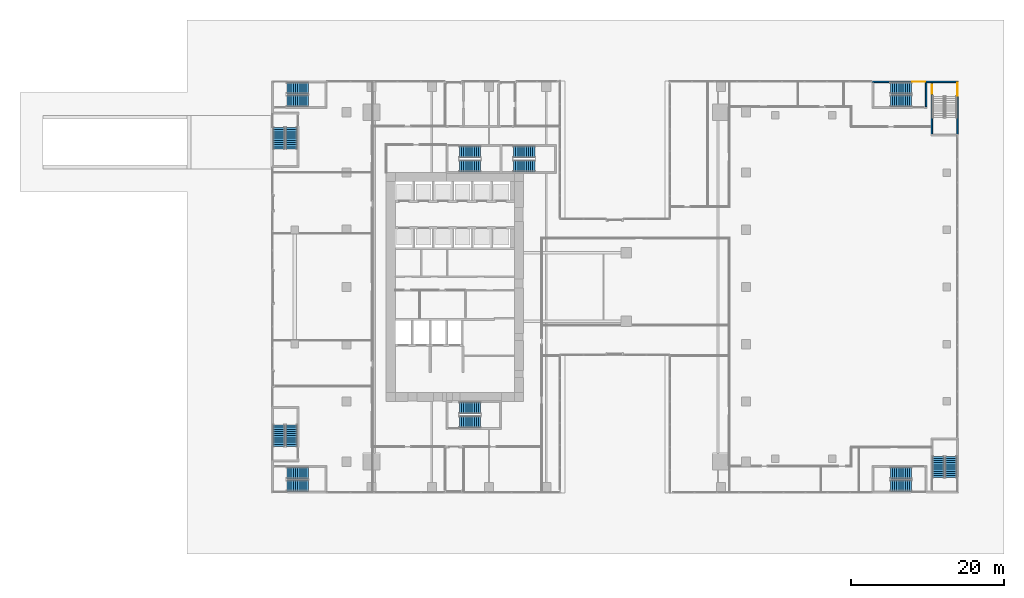
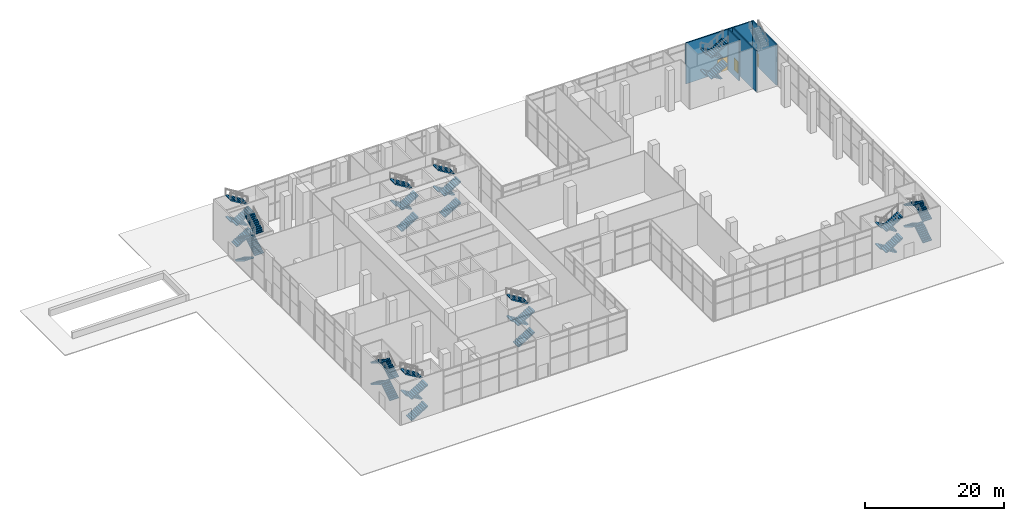
# One storey, part 42 of 52: 40 stair flights, 4 walls, 3 doors, 3 openings, 10 elements without a shape of their own.
"""IFC4 building model written with IfcOpenShell, lengths in metres."""

from ifc_helpers import new_model, si_unit, direction, frame, frame_2d, origin, place, context, subcontext, project, spatial, polyline, rectangle, outline, extrude, source, transform, mapped, material, layer, layer_set, type_object, element, fill, aggregate, save


model = new_model("IFC4")

# Units and contexts
model_context = context("Model", 3, precision=1e-05, world=origin(), true_north=direction((0.0, 1.0)))
body_context = subcontext(model_context, "Body", "Model", "MODEL_VIEW")
ifc_project = project(units=[si_unit("LENGTHUNIT", "METRE"), si_unit("AREAUNIT", "SQUARE_METRE"), si_unit("VOLUMEUNIT", "CUBIC_METRE"), si_unit("PLANEANGLEUNIT", "RADIAN"), si_unit("MASSUNIT", "GRAM", prefix="KILO")], contexts=[model_context])

# Site, building, storey
site_placement = place(None, origin())
site = spatial("IfcSite", under=ifc_project, at=site_placement, CompositionType="ELEMENT")
building_placement = place(site_placement, origin())
building = spatial("IfcBuilding", under=site, at=building_placement, Name="Khomas Fold Tower", CompositionType="ELEMENT")
storey_placement = place(building_placement, origin())
storey = spatial("IfcBuildingStorey", under=building, at=storey_placement, Name="L00", CompositionType="ELEMENT", Elevation=0.0)

# Wall
ifc_material_1 = material(Name="Concrete C30/37", Category="concrete")
ifc_layer = layer(ifc_material_1, 0.199951171875)
ifc_layer_set = layer_set([ifc_layer], Name="Concrete C30/37")
wall_type = type_object("IfcWallType", Name="Stair wall PW5 200", PredefinedType="PARTITIONING", material=ifc_layer_set)
shared_shape_1 = source(origin(), body_context, "Body", "SweptSolid", [
    extrude(rectangle(XDim=3.150146484375, YDim=0.199951171875, at=frame_2d((1.5751953125, 0.0))), origin(), (0.0, 0.0, 1.0), 7.199951171875),
])
wall_1_placement = place(storey_placement, frame((76.800048828125, 50.64990234375, 0.0), z_axis=(0.0, 0.0, 1.0), x_axis=(0.0, 1.0, 0.0)))
element("IfcWall", 1, at=wall_1_placement, inside=storey, type_object=wall_type, Name="Stair wall", PredefinedType="PARTITIONING", context=body_context, shape_type="MappedRepresentation", body=[
    mapped(shared_shape_1, transform((0.0, 0.0, 0.0))),
])

# Wall, opening, door
shared_shape_2 = source(origin(), body_context, "Body", "SweptSolid", [
    extrude(rectangle(XDim=6.800048828125, YDim=0.199951171875, at=frame_2d((3.39990234375, 0.0))), origin(), (0.0, 0.0, 1.0), 7.199951171875),
])
wall_2_placement = place(storey_placement, frame((77.550048828125, 47.0, 0.0), z_axis=(0.0, 0.0, 1.0), x_axis=(0.0, 1.0, 0.0)))
wall_2 = element("IfcWall", 2, at=wall_2_placement, inside=storey, type_object=wall_type, Name="Stair wall", PredefinedType="PARTITIONING", context=body_context, shape_type="MappedRepresentation", body=[
    mapped(shared_shape_2, transform((0.0, 0.0, 0.0))),
])
shared_shape_3 = source(origin(), body_context, "Body", "SweptSolid", [
    extrude(rectangle(XDim=1.199951171875, YDim=2.10009765625, at=frame_2d((0.60009765625, 1.050048828125))), frame((0.0, 0.10986328125, 0.0), z_axis=(0.0, -1.0, 0.0), x_axis=(1.0, 0.0, 0.0)), (0.0, 0.0, 1.0), 0.219970703125),
])
opening_1_placement = place(wall_2_placement, frame((5.300048828125, 0.0, 0.0)))
opening_1 = element("IfcOpeningElement", 3, at=opening_1_placement, cuts=wall_2, Name="Opening 0018", PredefinedType="OPENING", context=body_context, shape_type="MappedRepresentation", body=[
    mapped(shared_shape_3, transform((0.0, 0.0, 0.0))),
])
ifc_material_2 = material(Name="Steel door leaf", Category="steel")
door_type_1 = type_object("IfcDoorType", Name="Stair door 1200x2100 right-hand", OperationType="SINGLE_SWING_RIGHT", PredefinedType="DOOR", material=ifc_material_2)
shared_shape_4 = source(origin(), body_context, "Body", "SweptSolid", [
    extrude(rectangle(XDim=1.199951171875, YDim=2.10009765625, at=frame_2d((0.60009765625, 1.050048828125))), frame((0.0, 0.02490234375, 0.0), z_axis=(0.0, -1.0, 0.0), x_axis=(1.0, 0.0, 0.0)), (0.0, 0.0, 1.0), 0.050048828125),
])
door_1_placement = place(opening_1_placement, origin())
door_1 = element("IfcDoor", 4, at=door_1_placement, inside=storey, type_object=door_type_1, Name="Stair door", OperationType="SINGLE_SWING_RIGHT", OverallHeight=2.10009765625, OverallWidth=1.199951171875, PredefinedType="DOOR", context=body_context, shape_type="MappedRepresentation", body=[
    mapped(shared_shape_4, transform((0.0, 0.0, 0.0))),
])
fill(opening_1, door_1)

wall_3_placement = place(storey_placement, frame((80.89990234375, 47.0, 0.0), z_axis=(0.0, 0.0, 1.0), x_axis=(0.0, 1.0, 0.0)))
wall_3 = element("IfcWall", 5, at=wall_3_placement, inside=storey, type_object=wall_type, Name="Stair wall", PredefinedType="PARTITIONING", context=body_context, shape_type="MappedRepresentation", body=[
    mapped(shared_shape_2, transform((0.0, 0.0, 0.0))),
])
shared_shape_5 = source(origin(), body_context, "Body", "SweptSolid", [
    extrude(rectangle(XDim=1.699951171875, YDim=2.39990234375, at=frame_2d((0.85009765625, 1.199951171875))), frame((0.0, 0.10986328125, 0.0), z_axis=(0.0, -1.0, 0.0), x_axis=(1.0, 0.0, 0.0)), (0.0, 0.0, 1.0), 0.219970703125),
])
opening_2_placement = place(wall_3_placement, frame((6.75, 0.0, 0.0), z_axis=(0.0, 0.0, 1.0), x_axis=(-1.0, 0.0, 0.0)))
opening_2 = element("IfcOpeningElement", 6, at=opening_2_placement, cuts=wall_3, Name="Opening X6", PredefinedType="OPENING", context=body_context, shape_type="MappedRepresentation", body=[
    mapped(shared_shape_5, transform((0.0, 0.0, 0.0))),
])
ifc_material_3 = material(Name="Steel door leaf", Category="steel")
door_type_2 = type_object("IfcDoorType", Name="Stair discharge door 1700x2400", OperationType="DOUBLE_DOOR_SINGLE_SWING", PredefinedType="DOOR", material=ifc_material_3)
shared_shape_6 = source(origin(), body_context, "Body", "SweptSolid", [
    extrude(rectangle(XDim=1.699951171875, YDim=2.39990234375, at=frame_2d((0.85009765625, 1.199951171875))), frame((0.0, 0.02490234375, 0.0), z_axis=(0.0, -1.0, 0.0), x_axis=(1.0, 0.0, 0.0)), (0.0, 0.0, 1.0), 0.050048828125),
])
door_2_placement = place(opening_2_placement, origin())
door_2 = element("IfcDoor", 7, at=door_2_placement, inside=storey, type_object=door_type_2, Name="Stair discharge door", OperationType="DOUBLE_DOOR_SINGLE_SWING", OverallHeight=2.39990234375, OverallWidth=1.699951171875, PredefinedType="DOOR", context=body_context, shape_type="MappedRepresentation", body=[
    mapped(shared_shape_6, transform((0.0, 0.0, 0.0))),
])
fill(opening_2, door_2)

shared_shape_7 = source(origin(), body_context, "Body", "SweptSolid", [
    extrude(rectangle(XDim=11.300048828125, YDim=0.199951171875, at=frame_2d((5.64990234375, 0.0))), origin(), (0.0, 0.0, 1.0), 7.199951171875),
])
wall_4_placement = place(storey_placement, frame((69.699951171875, 53.89990234375, 0.0), z_axis=(0.0, 0.0, 1.0), x_axis=(1.0, 0.0, 0.0)))
wall_4 = element("IfcWall", 8, at=wall_4_placement, inside=storey, type_object=wall_type, Name="Stair wall", PredefinedType="PARTITIONING", context=body_context, shape_type="MappedRepresentation", body=[
    mapped(shared_shape_7, transform((0.0, 0.0, 0.0))),
])
opening_3_placement = place(wall_4_placement, frame((5.25, 0.0, 0.0)))
opening_3 = element("IfcOpeningElement", 9, at=opening_3_placement, cuts=wall_4, Name="Opening X5", PredefinedType="OPENING", context=body_context, shape_type="MappedRepresentation", body=[
    mapped(shared_shape_5, transform((0.0, 0.0, 0.0))),
])
door_3_placement = place(opening_3_placement, origin())
door_3 = element("IfcDoor", 10, at=door_3_placement, inside=storey, type_object=door_type_2, Name="Stair discharge door", OperationType="DOUBLE_DOOR_SINGLE_SWING", OverallHeight=2.39990234375, OverallWidth=1.699951171875, PredefinedType="DOOR", context=body_context, shape_type="MappedRepresentation", body=[
    mapped(shared_shape_6, transform((0.0, 0.0, 0.0))),
])
fill(opening_3, door_3)

# Stair, stair flights
ifc_material_4 = material(Name="Concrete C40/50", Category="concrete")
stair_type_1 = type_object("IfcStairType", Name="Stair ST1", PredefinedType="HALF_TURN_STAIR", material=ifc_material_4)
stair_1_placement = place(storey_placement, origin())
stair_1 = element("IfcStair", 11, at=stair_1_placement, inside=storey, type_object=stair_type_1, Name="L00 ST1", PredefinedType="HALF_TURN_STAIR")
ifc_material_5 = material(Name="Concrete C40/50", Category="concrete")
stair_flight_type_1 = type_object("IfcStairFlightType", Name="Stair flight 1500 ST1", PredefinedType="STRAIGHT", material=ifc_material_5)
shared_shape_8 = source(origin(), body_context, "Body", "SweptSolid", [
    extrude(outline(polyline([(0.0, 0.0), (0.0, 0.01318359375), (0.0, 0.026123046875), (0.0, 0.039306640625), (0.0, 0.052490234375), (0.0, 0.065673828125), (0.0, 0.07861328125), (0.0, 0.091796875), (0.0, 0.10498046875), (0.0, 0.117919921875), (0.0, 0.131103515625), (0.0, 0.144287109375), (0.0, 0.1572265625), (0.0, 0.17041015625), (0.280029296875, 0.17041015625), (0.280029296875, 0.3408203125), (0.56005859375, 0.3408203125), (0.56005859375, 0.511474609375), (0.840087890625, 0.511474609375), (0.840087890625, 0.681884765625), (1.1201171875, 0.681884765625), (1.1201171875, 0.852294921875), (1.39990234375, 0.852294921875), (1.39990234375, 1.022705078125), (1.679931640625, 1.022705078125), (1.679931640625, 1.193115234375), (1.9599609375, 1.193115234375), (1.9599609375, 1.363525390625), (2.239990234375, 1.363525390625), (2.239990234375, 1.5341796875), (2.52001953125, 1.5341796875), (2.52001953125, 1.70458984375), (2.800048828125, 1.70458984375), (2.800048828125, 1.875), (2.800048828125, 1.848388671875), (2.800048828125, 1.82177734375), (2.800048828125, 1.795166015625), (2.800048828125, 1.7685546875), (2.800048828125, 1.741943359375), (2.800048828125, 1.71533203125), (2.800048828125, 1.688720703125), (2.800048828125, 1.662109375), (2.800048828125, 1.635498046875), (2.800048828125, 1.60888671875), (2.800048828125, 1.582275390625), (2.800048828125, 1.5556640625), (2.800048828125, 1.529052734375), (0.288330078125, 0.0), (0.0, 0.0)])), frame((0.0, 0.75, 0.0), z_axis=(0.0, -1.0, 0.0), x_axis=(1.0, 0.0, 0.0)), (0.0, 0.0, 1.0), 1.5),
])
stair_flight_1_placement = place(storey_placement, frame((15.60009765625, 42.85009765625, 0.0), z_axis=(0.0, 0.0, 1.0), x_axis=(1.0, 0.0, 0.0)))
stair_flight_1 = element("IfcStairFlight", 12, at=stair_flight_1_placement, type_object=stair_flight_type_1, Name="ST1 flight 1", NumberOfRisers=11, NumberOfTreads=10, PredefinedType="STRAIGHT", RiserHeight=0.170454545, TreadLength=0.28, context=body_context, shape_type="MappedRepresentation", body=[
    mapped(shared_shape_8, transform((0.0, 0.0, 0.0))),
])
stair_flight_2_placement = place(storey_placement, frame((18.39990234375, 44.699951171875, 1.875), z_axis=(0.0, 0.0, 1.0), x_axis=(-1.0, 0.0, 0.0)))
stair_flight_2 = element("IfcStairFlight", 13, at=stair_flight_2_placement, type_object=stair_flight_type_1, Name="ST1 flight 2", NumberOfRisers=11, NumberOfTreads=10, PredefinedType="STRAIGHT", RiserHeight=0.170454545, TreadLength=0.28, context=body_context, shape_type="MappedRepresentation", body=[
    mapped(shared_shape_8, transform((0.0, 0.0, 0.0))),
])
stair_flight_3_placement = place(storey_placement, frame((15.60009765625, 42.85009765625, 3.75), z_axis=(0.0, 0.0, 1.0), x_axis=(1.0, 0.0, 0.0)))
stair_flight_3 = element("IfcStairFlight", 14, at=stair_flight_3_placement, type_object=stair_flight_type_1, Name="ST1 flight 3", NumberOfRisers=11, NumberOfTreads=10, PredefinedType="STRAIGHT", RiserHeight=0.170454545, TreadLength=0.28, context=body_context, shape_type="MappedRepresentation", body=[
    mapped(shared_shape_8, transform((0.0, 0.0, 0.0))),
])
stair_flight_4_placement = place(storey_placement, frame((18.39990234375, 44.699951171875, 5.625), z_axis=(0.0, 0.0, 1.0), x_axis=(-1.0, 0.0, 0.0)))
stair_flight_4 = element("IfcStairFlight", 15, at=stair_flight_4_placement, type_object=stair_flight_type_1, Name="ST1 flight 4", NumberOfRisers=11, NumberOfTreads=10, PredefinedType="STRAIGHT", RiserHeight=0.170454545, TreadLength=0.28, context=body_context, shape_type="MappedRepresentation", body=[
    mapped(shared_shape_8, transform((0.0, 0.0, 0.0))),
])
aggregate(stair_1, [stair_flight_1, stair_flight_2, stair_flight_3, stair_flight_4])

ifc_material_6 = material(Name="Concrete C40/50", Category="concrete")
stair_type_2 = type_object("IfcStairType", Name="Stair ST2", PredefinedType="HALF_TURN_STAIR", material=ifc_material_6)
stair_2_placement = place(storey_placement, origin())
stair_2 = element("IfcStair", 16, at=stair_2_placement, inside=storey, type_object=stair_type_2, Name="L00 ST2", PredefinedType="HALF_TURN_STAIR")
ifc_material_7 = material(Name="Concrete C40/50", Category="concrete")
stair_flight_type_2 = type_object("IfcStairFlightType", Name="Stair flight 1500 ST2", PredefinedType="STRAIGHT", material=ifc_material_7)
stair_flight_5_placement = place(storey_placement, frame((15.60009765625, 9.300048828125, 0.0), z_axis=(0.0, 0.0, 1.0), x_axis=(1.0, 0.0, 0.0)))
stair_flight_5 = element("IfcStairFlight", 17, at=stair_flight_5_placement, type_object=stair_flight_type_2, Name="ST2 flight 1", NumberOfRisers=11, NumberOfTreads=10, PredefinedType="STRAIGHT", RiserHeight=0.170454545, TreadLength=0.28, context=body_context, shape_type="MappedRepresentation", body=[
    mapped(shared_shape_8, transform((0.0, 0.0, 0.0))),
])
stair_flight_6_placement = place(storey_placement, frame((18.39990234375, 11.14990234375, 1.875), z_axis=(0.0, 0.0, 1.0), x_axis=(-1.0, 0.0, 0.0)))
stair_flight_6 = element("IfcStairFlight", 18, at=stair_flight_6_placement, type_object=stair_flight_type_2, Name="ST2 flight 2", NumberOfRisers=11, NumberOfTreads=10, PredefinedType="STRAIGHT", RiserHeight=0.170454545, TreadLength=0.28, context=body_context, shape_type="MappedRepresentation", body=[
    mapped(shared_shape_8, transform((0.0, 0.0, 0.0))),
])
stair_flight_7_placement = place(storey_placement, frame((15.60009765625, 9.300048828125, 3.75), z_axis=(0.0, 0.0, 1.0), x_axis=(1.0, 0.0, 0.0)))
stair_flight_7 = element("IfcStairFlight", 19, at=stair_flight_7_placement, type_object=stair_flight_type_2, Name="ST2 flight 3", NumberOfRisers=11, NumberOfTreads=10, PredefinedType="STRAIGHT", RiserHeight=0.170454545, TreadLength=0.28, context=body_context, shape_type="MappedRepresentation", body=[
    mapped(shared_shape_8, transform((0.0, 0.0, 0.0))),
])
stair_flight_8_placement = place(storey_placement, frame((18.39990234375, 11.14990234375, 5.625), z_axis=(0.0, 0.0, 1.0), x_axis=(-1.0, 0.0, 0.0)))
stair_flight_8 = element("IfcStairFlight", 20, at=stair_flight_8_placement, type_object=stair_flight_type_2, Name="ST2 flight 4", NumberOfRisers=11, NumberOfTreads=10, PredefinedType="STRAIGHT", RiserHeight=0.170454545, TreadLength=0.28, context=body_context, shape_type="MappedRepresentation", body=[
    mapped(shared_shape_8, transform((0.0, 0.0, 0.0))),
])
aggregate(stair_2, [stair_flight_5, stair_flight_6, stair_flight_7, stair_flight_8])

ifc_material_8 = material(Name="Concrete C40/50", Category="concrete")
stair_type_3 = type_object("IfcStairType", Name="Stair ST3", PredefinedType="HALF_TURN_STAIR", material=ifc_material_8)
stair_3_placement = place(storey_placement, origin())
stair_3 = element("IfcStair", 21, at=stair_3_placement, inside=storey, type_object=stair_type_3, Name="L00 ST3", PredefinedType="HALF_TURN_STAIR")
ifc_material_9 = material(Name="Concrete C40/50", Category="concrete")
stair_flight_type_3 = type_object("IfcStairFlightType", Name="Stair flight 1500 ST3", PredefinedType="STRAIGHT", material=ifc_material_9)
stair_flight_9_placement = place(storey_placement, frame((22.699951171875, 42.85009765625, 0.0), z_axis=(0.0, 0.0, 1.0), x_axis=(1.0, 0.0, 0.0)))
stair_flight_9 = element("IfcStairFlight", 22, at=stair_flight_9_placement, type_object=stair_flight_type_3, Name="ST3 flight 1", NumberOfRisers=11, NumberOfTreads=10, PredefinedType="STRAIGHT", RiserHeight=0.170454545, TreadLength=0.28, context=body_context, shape_type="MappedRepresentation", body=[
    mapped(shared_shape_8, transform((0.0, 0.0, 0.0))),
])
stair_flight_10_placement = place(storey_placement, frame((25.5, 44.699951171875, 1.875), z_axis=(0.0, 0.0, 1.0), x_axis=(-1.0, 0.0, 0.0)))
stair_flight_10 = element("IfcStairFlight", 23, at=stair_flight_10_placement, type_object=stair_flight_type_3, Name="ST3 flight 2", NumberOfRisers=11, NumberOfTreads=10, PredefinedType="STRAIGHT", RiserHeight=0.170454545, TreadLength=0.28, context=body_context, shape_type="MappedRepresentation", body=[
    mapped(shared_shape_8, transform((0.0, 0.0, 0.0))),
])
stair_flight_11_placement = place(storey_placement, frame((22.699951171875, 42.85009765625, 3.75), z_axis=(0.0, 0.0, 1.0), x_axis=(1.0, 0.0, 0.0)))
stair_flight_11 = element("IfcStairFlight", 24, at=stair_flight_11_placement, type_object=stair_flight_type_3, Name="ST3 flight 3", NumberOfRisers=11, NumberOfTreads=10, PredefinedType="STRAIGHT", RiserHeight=0.170454545, TreadLength=0.28, context=body_context, shape_type="MappedRepresentation", body=[
    mapped(shared_shape_8, transform((0.0, 0.0, 0.0))),
])
stair_flight_12_placement = place(storey_placement, frame((25.5, 44.699951171875, 5.625), z_axis=(0.0, 0.0, 1.0), x_axis=(-1.0, 0.0, 0.0)))
stair_flight_12 = element("IfcStairFlight", 25, at=stair_flight_12_placement, type_object=stair_flight_type_3, Name="ST3 flight 4", NumberOfRisers=11, NumberOfTreads=10, PredefinedType="STRAIGHT", RiserHeight=0.170454545, TreadLength=0.28, context=body_context, shape_type="MappedRepresentation", body=[
    mapped(shared_shape_8, transform((0.0, 0.0, 0.0))),
])
aggregate(stair_3, [stair_flight_9, stair_flight_10, stair_flight_11, stair_flight_12])

ifc_material_10 = material(Name="Concrete C40/50", Category="concrete")
stair_type_4 = type_object("IfcStairType", Name="Stair PS1", PredefinedType="HALF_TURN_STAIR", material=ifc_material_10)
stair_4_placement = place(storey_placement, origin())
stair_4 = element("IfcStair", 26, at=stair_4_placement, inside=storey, type_object=stair_type_4, Name="L00 PS1", PredefinedType="HALF_TURN_STAIR")
ifc_material_11 = material(Name="Concrete C40/50", Category="concrete")
stair_flight_type_4 = type_object("IfcStairFlightType", Name="Stair flight 1500 PS1", PredefinedType="STRAIGHT", material=ifc_material_11)
stair_flight_13_placement = place(storey_placement, frame((-7.0, 0.949951171875, 0.0), z_axis=(0.0, 0.0, 1.0), x_axis=(1.0, 0.0, 0.0)))
stair_flight_13 = element("IfcStairFlight", 27, at=stair_flight_13_placement, type_object=stair_flight_type_4, Name="PS1 flight 1", NumberOfRisers=11, NumberOfTreads=10, PredefinedType="STRAIGHT", RiserHeight=0.170454545, TreadLength=0.28, context=body_context, shape_type="MappedRepresentation", body=[
    mapped(shared_shape_8, transform((0.0, 0.0, 0.0))),
])
stair_flight_14_placement = place(storey_placement, frame((-4.199951171875, 2.60009765625, 1.875), z_axis=(0.0, 0.0, 1.0), x_axis=(-1.0, 0.0, 0.0)))
stair_flight_14 = element("IfcStairFlight", 28, at=stair_flight_14_placement, type_object=stair_flight_type_4, Name="PS1 flight 2", NumberOfRisers=11, NumberOfTreads=10, PredefinedType="STRAIGHT", RiserHeight=0.170454545, TreadLength=0.28, context=body_context, shape_type="MappedRepresentation", body=[
    mapped(shared_shape_8, transform((0.0, 0.0, 0.0))),
])
stair_flight_15_placement = place(storey_placement, frame((-7.0, 0.949951171875, 3.75), z_axis=(0.0, 0.0, 1.0), x_axis=(1.0, 0.0, 0.0)))
stair_flight_15 = element("IfcStairFlight", 29, at=stair_flight_15_placement, type_object=stair_flight_type_4, Name="PS1 flight 3", NumberOfRisers=11, NumberOfTreads=10, PredefinedType="STRAIGHT", RiserHeight=0.170454545, TreadLength=0.28, context=body_context, shape_type="MappedRepresentation", body=[
    mapped(shared_shape_8, transform((0.0, 0.0, 0.0))),
])
stair_flight_16_placement = place(storey_placement, frame((-4.199951171875, 2.60009765625, 5.625), z_axis=(0.0, 0.0, 1.0), x_axis=(-1.0, 0.0, 0.0)))
stair_flight_16 = element("IfcStairFlight", 30, at=stair_flight_16_placement, type_object=stair_flight_type_4, Name="PS1 flight 4", NumberOfRisers=11, NumberOfTreads=10, PredefinedType="STRAIGHT", RiserHeight=0.170454545, TreadLength=0.28, context=body_context, shape_type="MappedRepresentation", body=[
    mapped(shared_shape_8, transform((0.0, 0.0, 0.0))),
])
aggregate(stair_4, [stair_flight_13, stair_flight_14, stair_flight_15, stair_flight_16])

ifc_material_12 = material(Name="Concrete C40/50", Category="concrete")
stair_type_5 = type_object("IfcStairType", Name="Stair PS2", PredefinedType="HALF_TURN_STAIR", material=ifc_material_12)
stair_5_placement = place(storey_placement, origin())
stair_5 = element("IfcStair", 31, at=stair_5_placement, inside=storey, type_object=stair_type_5, Name="L00 PS2", PredefinedType="HALF_TURN_STAIR")
ifc_material_13 = material(Name="Concrete C40/50", Category="concrete")
stair_flight_type_5 = type_object("IfcStairFlightType", Name="Stair flight 1500 PS2", PredefinedType="STRAIGHT", material=ifc_material_13)
stair_flight_17_placement = place(storey_placement, frame((-6.39990234375, 6.10009765625, 0.0), z_axis=(0.0, 0.0, 1.0), x_axis=(0.0, 1.0, 0.0)))
stair_flight_17 = element("IfcStairFlight", 32, at=stair_flight_17_placement, type_object=stair_flight_type_5, Name="PS2 flight 1", NumberOfRisers=11, NumberOfTreads=10, PredefinedType="STRAIGHT", RiserHeight=0.170454545, TreadLength=0.28, context=body_context, shape_type="MappedRepresentation", body=[
    mapped(shared_shape_8, transform((0.0, 0.0, 0.0))),
])
stair_flight_18_placement = place(storey_placement, frame((-8.050048828125, 8.89990234375, 1.875), z_axis=(0.0, 0.0, 1.0), x_axis=(0.0, -1.0, 0.0)))
stair_flight_18 = element("IfcStairFlight", 33, at=stair_flight_18_placement, type_object=stair_flight_type_5, Name="PS2 flight 2", NumberOfRisers=11, NumberOfTreads=10, PredefinedType="STRAIGHT", RiserHeight=0.170454545, TreadLength=0.28, context=body_context, shape_type="MappedRepresentation", body=[
    mapped(shared_shape_8, transform((0.0, 0.0, 0.0))),
])
stair_flight_19_placement = place(storey_placement, frame((-6.39990234375, 6.10009765625, 3.75), z_axis=(0.0, 0.0, 1.0), x_axis=(0.0, 1.0, 0.0)))
stair_flight_19 = element("IfcStairFlight", 34, at=stair_flight_19_placement, type_object=stair_flight_type_5, Name="PS2 flight 3", NumberOfRisers=11, NumberOfTreads=10, PredefinedType="STRAIGHT", RiserHeight=0.170454545, TreadLength=0.28, context=body_context, shape_type="MappedRepresentation", body=[
    mapped(shared_shape_8, transform((0.0, 0.0, 0.0))),
])
stair_flight_20_placement = place(storey_placement, frame((-8.050048828125, 8.89990234375, 5.625), z_axis=(0.0, 0.0, 1.0), x_axis=(0.0, -1.0, 0.0)))
stair_flight_20 = element("IfcStairFlight", 35, at=stair_flight_20_placement, type_object=stair_flight_type_5, Name="PS2 flight 4", NumberOfRisers=11, NumberOfTreads=10, PredefinedType="STRAIGHT", RiserHeight=0.170454545, TreadLength=0.28, context=body_context, shape_type="MappedRepresentation", body=[
    mapped(shared_shape_8, transform((0.0, 0.0, 0.0))),
])
aggregate(stair_5, [stair_flight_17, stair_flight_18, stair_flight_19, stair_flight_20])

ifc_material_14 = material(Name="Concrete C40/50", Category="concrete")
stair_type_6 = type_object("IfcStairType", Name="Stair PS3", PredefinedType="HALF_TURN_STAIR", material=ifc_material_14)
stair_6_placement = place(storey_placement, origin())
stair_6 = element("IfcStair", 36, at=stair_6_placement, inside=storey, type_object=stair_type_6, Name="L00 PS3", PredefinedType="HALF_TURN_STAIR")
ifc_material_15 = material(Name="Concrete C40/50", Category="concrete")
stair_flight_type_6 = type_object("IfcStairFlightType", Name="Stair flight 1500 PS3", PredefinedType="STRAIGHT", material=ifc_material_15)
stair_flight_21_placement = place(storey_placement, frame((74.89990234375, 2.60009765625, 0.0), z_axis=(0.0, 0.0, 1.0), x_axis=(-1.0, 0.0, 0.0)))
stair_flight_21 = element("IfcStairFlight", 37, at=stair_flight_21_placement, type_object=stair_flight_type_6, Name="PS3 flight 1", NumberOfRisers=11, NumberOfTreads=10, PredefinedType="STRAIGHT", RiserHeight=0.170454545, TreadLength=0.28, context=body_context, shape_type="MappedRepresentation", body=[
    mapped(shared_shape_8, transform((0.0, 0.0, 0.0))),
])
stair_flight_22_placement = place(storey_placement, frame((72.10009765625, 0.949951171875, 1.875), z_axis=(0.0, 0.0, 1.0), x_axis=(1.0, 0.0, 0.0)))
stair_flight_22 = element("IfcStairFlight", 38, at=stair_flight_22_placement, type_object=stair_flight_type_6, Name="PS3 flight 2", NumberOfRisers=11, NumberOfTreads=10, PredefinedType="STRAIGHT", RiserHeight=0.170454545, TreadLength=0.28, context=body_context, shape_type="MappedRepresentation", body=[
    mapped(shared_shape_8, transform((0.0, 0.0, 0.0))),
])
stair_flight_23_placement = place(storey_placement, frame((74.89990234375, 2.60009765625, 3.75), z_axis=(0.0, 0.0, 1.0), x_axis=(-1.0, 0.0, 0.0)))
stair_flight_23 = element("IfcStairFlight", 39, at=stair_flight_23_placement, type_object=stair_flight_type_6, Name="PS3 flight 3", NumberOfRisers=11, NumberOfTreads=10, PredefinedType="STRAIGHT", RiserHeight=0.170454545, TreadLength=0.28, context=body_context, shape_type="MappedRepresentation", body=[
    mapped(shared_shape_8, transform((0.0, 0.0, 0.0))),
])
stair_flight_24_placement = place(storey_placement, frame((72.10009765625, 0.949951171875, 5.625), z_axis=(0.0, 0.0, 1.0), x_axis=(1.0, 0.0, 0.0)))
stair_flight_24 = element("IfcStairFlight", 40, at=stair_flight_24_placement, type_object=stair_flight_type_6, Name="PS3 flight 4", NumberOfRisers=11, NumberOfTreads=10, PredefinedType="STRAIGHT", RiserHeight=0.170454545, TreadLength=0.28, context=body_context, shape_type="MappedRepresentation", body=[
    mapped(shared_shape_8, transform((0.0, 0.0, 0.0))),
])
aggregate(stair_6, [stair_flight_21, stair_flight_22, stair_flight_23, stair_flight_24])

ifc_material_16 = material(Name="Concrete C40/50", Category="concrete")
stair_type_7 = type_object("IfcStairType", Name="Stair PS4", PredefinedType="HALF_TURN_STAIR", material=ifc_material_16)
stair_7_placement = place(storey_placement, origin())
stair_7 = element("IfcStair", 41, at=stair_7_placement, inside=storey, type_object=stair_type_7, Name="L00 PS4", PredefinedType="HALF_TURN_STAIR")
ifc_material_17 = material(Name="Concrete C40/50", Category="concrete")
stair_flight_type_7 = type_object("IfcStairFlightType", Name="Stair flight 1500 PS4", PredefinedType="STRAIGHT", material=ifc_material_17)
stair_flight_25_placement = place(storey_placement, frame((80.050048828125, 2.0, 0.0), z_axis=(0.0, 0.0, 1.0), x_axis=(0.0, 1.0, 0.0)))
stair_flight_25 = element("IfcStairFlight", 42, at=stair_flight_25_placement, type_object=stair_flight_type_7, Name="PS4 flight 1", NumberOfRisers=11, NumberOfTreads=10, PredefinedType="STRAIGHT", RiserHeight=0.170454545, TreadLength=0.28, context=body_context, shape_type="MappedRepresentation", body=[
    mapped(shared_shape_8, transform((0.0, 0.0, 0.0))),
])
stair_flight_26_placement = place(storey_placement, frame((78.39990234375, 4.800048828125, 1.875), z_axis=(0.0, 0.0, 1.0), x_axis=(0.0, -1.0, 0.0)))
stair_flight_26 = element("IfcStairFlight", 43, at=stair_flight_26_placement, type_object=stair_flight_type_7, Name="PS4 flight 2", NumberOfRisers=11, NumberOfTreads=10, PredefinedType="STRAIGHT", RiserHeight=0.170454545, TreadLength=0.28, context=body_context, shape_type="MappedRepresentation", body=[
    mapped(shared_shape_8, transform((0.0, 0.0, 0.0))),
])
stair_flight_27_placement = place(storey_placement, frame((80.050048828125, 2.0, 3.75), z_axis=(0.0, 0.0, 1.0), x_axis=(0.0, 1.0, 0.0)))
stair_flight_27 = element("IfcStairFlight", 44, at=stair_flight_27_placement, type_object=stair_flight_type_7, Name="PS4 flight 3", NumberOfRisers=11, NumberOfTreads=10, PredefinedType="STRAIGHT", RiserHeight=0.170454545, TreadLength=0.28, context=body_context, shape_type="MappedRepresentation", body=[
    mapped(shared_shape_8, transform((0.0, 0.0, 0.0))),
])
stair_flight_28_placement = place(storey_placement, frame((78.39990234375, 4.800048828125, 5.625), z_axis=(0.0, 0.0, 1.0), x_axis=(0.0, -1.0, 0.0)))
stair_flight_28 = element("IfcStairFlight", 45, at=stair_flight_28_placement, type_object=stair_flight_type_7, Name="PS4 flight 4", NumberOfRisers=11, NumberOfTreads=10, PredefinedType="STRAIGHT", RiserHeight=0.170454545, TreadLength=0.28, context=body_context, shape_type="MappedRepresentation", body=[
    mapped(shared_shape_8, transform((0.0, 0.0, 0.0))),
])
aggregate(stair_7, [stair_flight_25, stair_flight_26, stair_flight_27, stair_flight_28])

ifc_material_18 = material(Name="Concrete C40/50", Category="concrete")
stair_type_8 = type_object("IfcStairType", Name="Stair PS5", PredefinedType="HALF_TURN_STAIR", material=ifc_material_18)
stair_8_placement = place(storey_placement, origin())
stair_8 = element("IfcStair", 46, at=stair_8_placement, inside=storey, type_object=stair_type_8, Name="L00 PS5", PredefinedType="HALF_TURN_STAIR")
ifc_material_19 = material(Name="Concrete C40/50", Category="concrete")
stair_flight_type_8 = type_object("IfcStairFlightType", Name="Stair flight 1500 PS5", PredefinedType="STRAIGHT", material=ifc_material_19)
stair_flight_29_placement = place(storey_placement, frame((74.89990234375, 53.050048828125, 0.0), z_axis=(0.0, 0.0, 1.0), x_axis=(-1.0, 0.0, 0.0)))
stair_flight_29 = element("IfcStairFlight", 47, at=stair_flight_29_placement, type_object=stair_flight_type_8, Name="PS5 flight 1", NumberOfRisers=11, NumberOfTreads=10, PredefinedType="STRAIGHT", RiserHeight=0.170454545, TreadLength=0.28, context=body_context, shape_type="MappedRepresentation", body=[
    mapped(shared_shape_8, transform((0.0, 0.0, 0.0))),
])
stair_flight_30_placement = place(storey_placement, frame((72.10009765625, 51.39990234375, 1.875), z_axis=(0.0, 0.0, 1.0), x_axis=(1.0, 0.0, 0.0)))
stair_flight_30 = element("IfcStairFlight", 48, at=stair_flight_30_placement, type_object=stair_flight_type_8, Name="PS5 flight 2", NumberOfRisers=11, NumberOfTreads=10, PredefinedType="STRAIGHT", RiserHeight=0.170454545, TreadLength=0.28, context=body_context, shape_type="MappedRepresentation", body=[
    mapped(shared_shape_8, transform((0.0, 0.0, 0.0))),
])
stair_flight_31_placement = place(storey_placement, frame((74.89990234375, 53.050048828125, 3.75), z_axis=(0.0, 0.0, 1.0), x_axis=(-1.0, 0.0, 0.0)))
stair_flight_31 = element("IfcStairFlight", 49, at=stair_flight_31_placement, type_object=stair_flight_type_8, Name="PS5 flight 3", NumberOfRisers=11, NumberOfTreads=10, PredefinedType="STRAIGHT", RiserHeight=0.170454545, TreadLength=0.28, context=body_context, shape_type="MappedRepresentation", body=[
    mapped(shared_shape_8, transform((0.0, 0.0, 0.0))),
])
stair_flight_32_placement = place(storey_placement, frame((72.10009765625, 51.39990234375, 5.625), z_axis=(0.0, 0.0, 1.0), x_axis=(1.0, 0.0, 0.0)))
stair_flight_32 = element("IfcStairFlight", 50, at=stair_flight_32_placement, type_object=stair_flight_type_8, Name="PS5 flight 4", NumberOfRisers=11, NumberOfTreads=10, PredefinedType="STRAIGHT", RiserHeight=0.170454545, TreadLength=0.28, context=body_context, shape_type="MappedRepresentation", body=[
    mapped(shared_shape_8, transform((0.0, 0.0, 0.0))),
])
aggregate(stair_8, [stair_flight_29, stair_flight_30, stair_flight_31, stair_flight_32])

ifc_material_20 = material(Name="Concrete C40/50", Category="concrete")
stair_type_9 = type_object("IfcStairType", Name="Stair PS7", PredefinedType="HALF_TURN_STAIR", material=ifc_material_20)
stair_9_placement = place(storey_placement, origin())
stair_9 = element("IfcStair", 51, at=stair_9_placement, inside=storey, type_object=stair_type_9, Name="L00 PS7", PredefinedType="HALF_TURN_STAIR")
ifc_material_21 = material(Name="Concrete C40/50", Category="concrete")
stair_flight_type_9 = type_object("IfcStairFlightType", Name="Stair flight 1500 PS7", PredefinedType="STRAIGHT", material=ifc_material_21)
stair_flight_33_placement = place(storey_placement, frame((-7.0, 51.39990234375, 0.0), z_axis=(0.0, 0.0, 1.0), x_axis=(1.0, 0.0, 0.0)))
stair_flight_33 = element("IfcStairFlight", 52, at=stair_flight_33_placement, type_object=stair_flight_type_9, Name="PS7 flight 1", NumberOfRisers=11, NumberOfTreads=10, PredefinedType="STRAIGHT", RiserHeight=0.170454545, TreadLength=0.28, context=body_context, shape_type="MappedRepresentation", body=[
    mapped(shared_shape_8, transform((0.0, 0.0, 0.0))),
])
stair_flight_34_placement = place(storey_placement, frame((-4.199951171875, 53.050048828125, 1.875), z_axis=(0.0, 0.0, 1.0), x_axis=(-1.0, 0.0, 0.0)))
stair_flight_34 = element("IfcStairFlight", 53, at=stair_flight_34_placement, type_object=stair_flight_type_9, Name="PS7 flight 2", NumberOfRisers=11, NumberOfTreads=10, PredefinedType="STRAIGHT", RiserHeight=0.170454545, TreadLength=0.28, context=body_context, shape_type="MappedRepresentation", body=[
    mapped(shared_shape_8, transform((0.0, 0.0, 0.0))),
])
stair_flight_35_placement = place(storey_placement, frame((-7.0, 51.39990234375, 3.75), z_axis=(0.0, 0.0, 1.0), x_axis=(1.0, 0.0, 0.0)))
stair_flight_35 = element("IfcStairFlight", 54, at=stair_flight_35_placement, type_object=stair_flight_type_9, Name="PS7 flight 3", NumberOfRisers=11, NumberOfTreads=10, PredefinedType="STRAIGHT", RiserHeight=0.170454545, TreadLength=0.28, context=body_context, shape_type="MappedRepresentation", body=[
    mapped(shared_shape_8, transform((0.0, 0.0, 0.0))),
])
stair_flight_36_placement = place(storey_placement, frame((-4.199951171875, 53.050048828125, 5.625), z_axis=(0.0, 0.0, 1.0), x_axis=(-1.0, 0.0, 0.0)))
stair_flight_36 = element("IfcStairFlight", 55, at=stair_flight_36_placement, type_object=stair_flight_type_9, Name="PS7 flight 4", NumberOfRisers=11, NumberOfTreads=10, PredefinedType="STRAIGHT", RiserHeight=0.170454545, TreadLength=0.28, context=body_context, shape_type="MappedRepresentation", body=[
    mapped(shared_shape_8, transform((0.0, 0.0, 0.0))),
])
aggregate(stair_9, [stair_flight_33, stair_flight_34, stair_flight_35, stair_flight_36])

ifc_material_22 = material(Name="Concrete C40/50", Category="concrete")
stair_type_10 = type_object("IfcStairType", Name="Stair PS8", PredefinedType="HALF_TURN_STAIR", material=ifc_material_22)
stair_10_placement = place(storey_placement, origin())
stair_10 = element("IfcStair", 56, at=stair_10_placement, inside=storey, type_object=stair_type_10, Name="L00 PS8", PredefinedType="HALF_TURN_STAIR")
ifc_material_23 = material(Name="Concrete C40/50", Category="concrete")
stair_flight_type_10 = type_object("IfcStairFlightType", Name="Stair flight 1500 PS8", PredefinedType="STRAIGHT", material=ifc_material_23)
stair_flight_37_placement = place(storey_placement, frame((-8.050048828125, 47.89990234375, 0.0), z_axis=(0.0, 0.0, 1.0), x_axis=(0.0, -1.0, 0.0)))
stair_flight_37 = element("IfcStairFlight", 57, at=stair_flight_37_placement, type_object=stair_flight_type_10, Name="PS8 flight 1", NumberOfRisers=11, NumberOfTreads=10, PredefinedType="STRAIGHT", RiserHeight=0.170454545, TreadLength=0.28, context=body_context, shape_type="MappedRepresentation", body=[
    mapped(shared_shape_8, transform((0.0, 0.0, 0.0))),
])
stair_flight_38_placement = place(storey_placement, frame((-6.39990234375, 45.10009765625, 1.875), z_axis=(0.0, 0.0, 1.0), x_axis=(0.0, 1.0, 0.0)))
stair_flight_38 = element("IfcStairFlight", 58, at=stair_flight_38_placement, type_object=stair_flight_type_10, Name="PS8 flight 2", NumberOfRisers=11, NumberOfTreads=10, PredefinedType="STRAIGHT", RiserHeight=0.170454545, TreadLength=0.28, context=body_context, shape_type="MappedRepresentation", body=[
    mapped(shared_shape_8, transform((0.0, 0.0, 0.0))),
])
stair_flight_39_placement = place(storey_placement, frame((-8.050048828125, 47.89990234375, 3.75), z_axis=(0.0, 0.0, 1.0), x_axis=(0.0, -1.0, 0.0)))
stair_flight_39 = element("IfcStairFlight", 59, at=stair_flight_39_placement, type_object=stair_flight_type_10, Name="PS8 flight 3", NumberOfRisers=11, NumberOfTreads=10, PredefinedType="STRAIGHT", RiserHeight=0.170454545, TreadLength=0.28, context=body_context, shape_type="MappedRepresentation", body=[
    mapped(shared_shape_8, transform((0.0, 0.0, 0.0))),
])
stair_flight_40_placement = place(storey_placement, frame((-6.39990234375, 45.10009765625, 5.625), z_axis=(0.0, 0.0, 1.0), x_axis=(0.0, 1.0, 0.0)))
stair_flight_40 = element("IfcStairFlight", 60, at=stair_flight_40_placement, type_object=stair_flight_type_10, Name="PS8 flight 4", NumberOfRisers=11, NumberOfTreads=10, PredefinedType="STRAIGHT", RiserHeight=0.170454545, TreadLength=0.28, context=body_context, shape_type="MappedRepresentation", body=[
    mapped(shared_shape_8, transform((0.0, 0.0, 0.0))),
])
aggregate(stair_10, [stair_flight_37, stair_flight_38, stair_flight_39, stair_flight_40])

save(model, "model.ifc")
